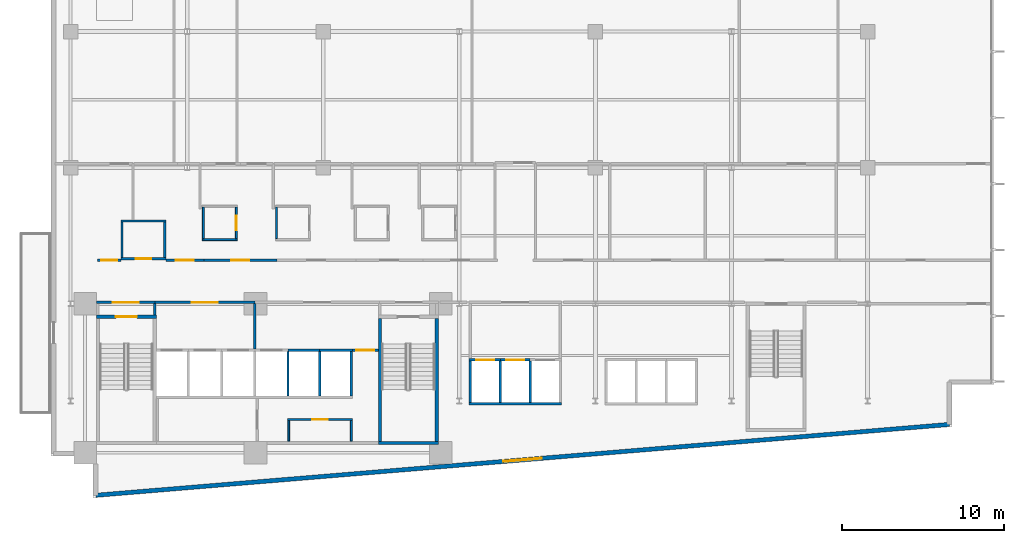
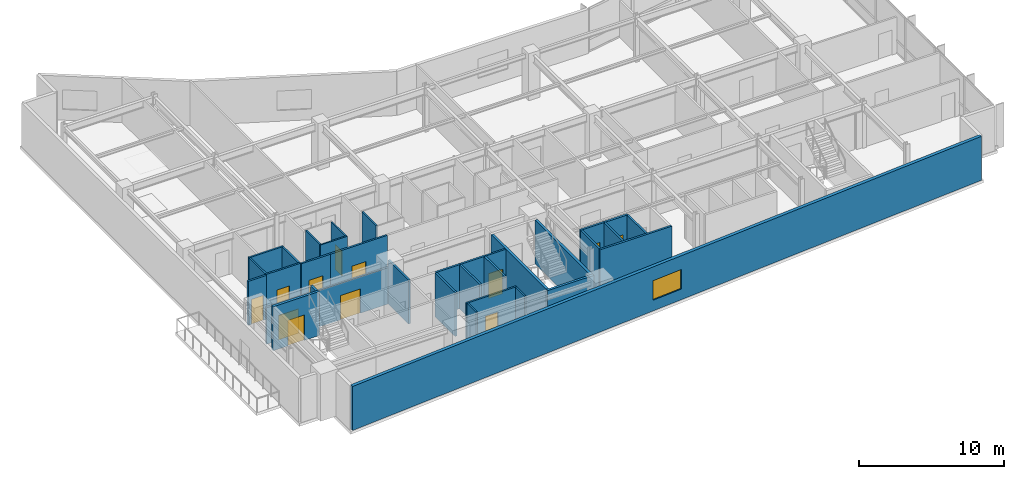
# One storey, part 13 of 21: 35 walls, 12 doors, 1 window, 13 openings.
"""IFC4 building model written with IfcOpenShell, lengths in metres."""

from ifc_helpers import new_model, si_unit, direction, frame, frame_2d, origin, place, context, subcontext, project, spatial, rectangle, extrude, material, layer, layer_set, type_object, element, fill, save


model = new_model("IFC4")

# Units and contexts
model_context = context("Model", 3, precision=1e-05, world=origin(), true_north=direction((0.0, 1.0)))
body_context = subcontext(model_context, "Body", "Model", "MODEL_VIEW")
ifc_project = project(units=[si_unit("LENGTHUNIT", "METRE"), si_unit("AREAUNIT", "SQUARE_METRE"), si_unit("VOLUMEUNIT", "CUBIC_METRE"), si_unit("PLANEANGLEUNIT", "RADIAN"), si_unit("MASSUNIT", "GRAM", prefix="KILO")], contexts=[model_context])

# Site, building, storey
site_placement = place(None, origin())
site = spatial("IfcSite", under=ifc_project, at=site_placement, CompositionType="ELEMENT")
building_placement = place(site_placement, origin())
building = spatial("IfcBuilding", under=site, at=building_placement, Name="Varnakote Quay Hospital", CompositionType="ELEMENT")
storey_placement = place(building_placement, frame((0.0, 0.0, 77.800048828125)))
storey = spatial("IfcBuildingStorey", under=building, at=storey_placement, Name="L19", CompositionType="ELEMENT", Elevation=77.800048828125)

# Wall, opening, door
ifc_material_1 = material(Name="Fire-rated acoustic gypsum stud wall", Category="gypsum")
ifc_layer_1 = layer(ifc_material_1, 0.159912109375)
ifc_layer_set_1 = layer_set([ifc_layer_1], Name="Fire-rated acoustic gypsum stud wall")
wall_type_1 = type_object("IfcWallType", Name="WL-COMP-160", PredefinedType="PARTITIONING", material=ifc_layer_set_1)
wall_1_placement = place(storey_placement, frame((2.800048828125, 12.080078125, 0.0), z_axis=(0.0, 0.0, 1.0), x_axis=(1.0, 0.0, 0.0)))
wall_1 = element("IfcWall", 1, at=wall_1_placement, inside=storey, type_object=wall_type_1, Name="L19 West Stair Vestibule Smoke Wall", PredefinedType="PARTITIONING", context=body_context, shape_type="SweptSolid", body=[
    extrude(rectangle(XDim=3.599853515625, YDim=0.159912109375, at=frame_2d((1.7998046875, 0.0))), origin(), (0.0, 0.0, 1.0), 3.072998046875),
])
opening_1_placement = place(wall_1_placement, frame((1.0, 0.0, 0.0)))
opening_1 = element("IfcOpeningElement", 2, at=opening_1_placement, cuts=wall_1, Name="Opening D-ST1L-L19", PredefinedType="OPENING", context=body_context, shape_type="SweptSolid", body=[
    extrude(rectangle(XDim=1.60009765625, YDim=2.050048828125, at=frame_2d((0.800048828125, 1.02490234375))), frame((0.0, 0.08984375, 0.0), z_axis=(0.0, -1.0, 0.0), x_axis=(1.0, 0.0, 0.0)), (0.0, 0.0, 1.0), 0.179931640625),
])
ifc_material_2 = material(Name="Fire-rated double smoke lobby door")
door_type_1 = type_object("IfcDoorType", Name="DR-LOBBY-FD60S-1600x2150", OperationType="NOTDEFINED", PredefinedType="DOOR", material=ifc_material_2)
door_1_placement = place(opening_1_placement, origin())
door_1 = element("IfcDoor", 3, at=door_1_placement, inside=storey, type_object=door_type_1, Name="L19 West Stair Vestibule Smoke Door", OperationType="DOUBLE_DOOR_SINGLE_SWING", OverallHeight=2.050048828125, OverallWidth=1.60009765625, PredefinedType="DOOR", context=body_context, shape_type="SweptSolid", body=[
    extrude(rectangle(XDim=1.60009765625, YDim=2.050048828125, at=frame_2d((0.800048828125, 1.02490234375))), frame((0.0, 0.02490234375, 0.0), z_axis=(0.0, -1.0, 0.0), x_axis=(1.0, 0.0, 0.0)), (0.0, 0.0, 1.0), 0.050048828125),
])
fill(opening_1, door_1)

# Wall
wall_2_placement = place(storey_placement, frame((6.39990234375, 11.300048828125, 0.0), z_axis=(0.0, 0.0, 1.0), x_axis=(0.0, 1.0, 0.0)))
element("IfcWall", 4, at=wall_2_placement, inside=storey, type_object=wall_type_1, Name="L19 Firefighting Lobby West Wall", PredefinedType="PARTITIONING", context=body_context, shape_type="SweptSolid", body=[
    extrude(rectangle(XDim=0.699951171875, YDim=0.159912109375, at=frame_2d((0.35009765625, 0.0))), origin(), (0.0, 0.0, 1.0), 3.7099609375),
])

# Wall, opening, door
wall_3_placement = place(storey_placement, frame((6.39990234375, 12.080078125, 0.0), z_axis=(0.0, 0.0, 1.0), x_axis=(1.0, 0.0, 0.0)))
wall_3 = element("IfcWall", 5, at=wall_3_placement, inside=storey, type_object=wall_type_1, Name="L19 Firefighting Lift Lobby Compartment Wall", PredefinedType="PARTITIONING", context=body_context, shape_type="SweptSolid", body=[
    extrude(rectangle(XDim=6.18017578125, YDim=0.159912109375, at=frame_2d((3.090087890625, 0.0))), origin(), (0.0, 0.0, 1.0), 3.072998046875),
])
opening_2_placement = place(wall_3_placement, frame((2.2900390625, 0.0, 0.0)))
opening_2 = element("IfcOpeningElement", 6, at=opening_2_placement, cuts=wall_3, Name="Opening D-FFL-L19", PredefinedType="OPENING", context=body_context, shape_type="SweptSolid", body=[
    extrude(rectangle(XDim=1.60009765625, YDim=2.050048828125, at=frame_2d((0.800048828125, 1.02490234375))), frame((0.0, 0.08984375, 0.0), z_axis=(0.0, -1.0, 0.0), x_axis=(1.0, 0.0, 0.0)), (0.0, 0.0, 1.0), 0.179931640625),
])
door_2_placement = place(opening_2_placement, origin())
door_2 = element("IfcDoor", 7, at=door_2_placement, inside=storey, type_object=door_type_1, Name="L19 Firefighting Smoke Vestibule Door", OperationType="DOUBLE_DOOR_SINGLE_SWING", OverallHeight=2.050048828125, OverallWidth=1.60009765625, PredefinedType="DOOR", context=body_context, shape_type="SweptSolid", body=[
    extrude(rectangle(XDim=1.60009765625, YDim=2.050048828125, at=frame_2d((0.800048828125, 1.02490234375))), frame((0.0, 0.02490234375, 0.0), z_axis=(0.0, -1.0, 0.0), x_axis=(1.0, 0.0, 0.0)), (0.0, 0.0, 1.0), 0.050048828125),
])
fill(opening_2, door_2)

# Walls
wall_4_placement = place(storey_placement, frame((12.580078125, 9.2099609375, 0.0), z_axis=(0.0, 0.0, 1.0), x_axis=(0.0, 1.0, 0.0)))
element("IfcWall", 8, at=wall_4_placement, inside=storey, type_object=wall_type_1, Name="L19 Firefighting to Service Lobby Wall", PredefinedType="PARTITIONING", context=body_context, shape_type="SweptSolid", body=[
    extrude(rectangle(XDim=2.7900390625, YDim=0.159912109375, at=frame_2d((1.39501953125, 0.0))), origin(), (0.0, 0.0, 1.0), 3.7099609375),
])
ifc_material_3 = material(Name="Moisture-resistant bathroom partition", Category="gypsum")
ifc_layer_2 = layer(ifc_material_3, 0.114990234375)
ifc_layer_set_2 = layer_set([ifc_layer_2], Name="Moisture-resistant bathroom partition")
wall_type_2 = type_object("IfcWallType", Name="WL-ENS-115", PredefinedType="PARTITIONING", material=ifc_layer_set_2)
wall_5_placement = place(storey_placement, frame((9.344970703125, 15.952392578125, 0.0), z_axis=(0.0, 0.0, 1.0), x_axis=(1.0, 0.0, 0.0)))
element("IfcWall", 9, at=wall_5_placement, inside=storey, type_object=wall_type_2, Name="L19 Inpatient En-Suite Bathroom 01 S Wall", PredefinedType="PARTITIONING", context=body_context, shape_type="SweptSolid", body=[
    extrude(rectangle(XDim=2.150146484375, YDim=0.114990234375, at=frame_2d((1.0751953125, 0.0))), origin(), (0.0, 0.0, 1.0), 3.7099609375),
])
wall_6_placement = place(storey_placement, frame((9.402587890625, 16.010009765625, 0.0), z_axis=(0.0, 0.0, 1.0), x_axis=(0.0, 1.0, 0.0)))
element("IfcWall", 10, at=wall_6_placement, inside=storey, type_object=wall_type_2, Name="L19 Inpatient En-Suite Bathroom 01 W Wall", PredefinedType="PARTITIONING", context=body_context, shape_type="SweptSolid", body=[
    extrude(rectangle(XDim=1.949951171875, YDim=0.114990234375, at=frame_2d((0.97509765625, 0.0))), origin(), (0.0, 0.0, 1.0), 3.7099609375),
])

# Wall, opening, door
wall_7_placement = place(storey_placement, frame((11.4375, 16.010009765625, 0.0), z_axis=(0.0, 0.0, 1.0), x_axis=(0.0, 1.0, 0.0)))
wall_7 = element("IfcWall", 11, at=wall_7_placement, inside=storey, type_object=wall_type_2, Name="L19 Inpatient En-Suite Bathroom 01 E Wall", PredefinedType="PARTITIONING", context=body_context, shape_type="SweptSolid", body=[
    extrude(rectangle(XDim=1.949951171875, YDim=0.114990234375, at=frame_2d((0.97509765625, 0.0))), origin(), (0.0, 0.0, 1.0), 3.7099609375),
])
opening_3_placement = place(wall_7_placement, frame((0.514892578125, 0.0, 0.0)))
opening_3 = element("IfcOpeningElement", 12, at=opening_3_placement, cuts=wall_7, Name="Opening D-L19-ENS01", PredefinedType="OPENING", context=body_context, shape_type="SweptSolid", body=[
    extrude(rectangle(XDim=0.919921875, YDim=2.10009765625, at=frame_2d((0.4599609375, 1.050048828125))), frame((0.0, 0.0673828125, 0.0), z_axis=(0.0, -1.0, 0.0), x_axis=(1.0, 0.0, 0.0)), (0.0, 0.0, 1.0), 0.135009765625),
])
ifc_material_4 = material(Name="Moisture-sealed en-suite bathroom door")
door_type_2 = type_object("IfcDoorType", Name="DR-ENS-920x2100", OperationType="NOTDEFINED", PredefinedType="DOOR", material=ifc_material_4)
door_3_placement = place(opening_3_placement, origin())
door_3 = element("IfcDoor", 13, at=door_3_placement, inside=storey, type_object=door_type_2, Name="L19 Inpatient En-Suite Bathroom 01 Door", OperationType="SINGLE_SWING_LEFT", OverallHeight=2.10009765625, OverallWidth=0.919921875, PredefinedType="DOOR", context=body_context, shape_type="SweptSolid", body=[
    extrude(rectangle(XDim=0.919921875, YDim=2.10009765625, at=frame_2d((0.4599609375, 1.050048828125))), frame((0.0, 0.02490234375, 0.0), z_axis=(0.0, -1.0, 0.0), x_axis=(1.0, 0.0, 0.0)), (0.0, 0.0, 1.0), 0.050048828125),
])
fill(opening_3, door_3)

# Wall
wall_8_placement = place(storey_placement, frame((13.91259765625, 16.010009765625, 0.0), z_axis=(0.0, 0.0, 1.0), x_axis=(0.0, 1.0, 0.0)))
element("IfcWall", 14, at=wall_8_placement, inside=storey, type_object=wall_type_2, Name="L19 Inpatient En-Suite Bathroom 02 W Wall", PredefinedType="PARTITIONING", context=body_context, shape_type="SweptSolid", body=[
    extrude(rectangle(XDim=1.949951171875, YDim=0.114990234375, at=frame_2d((0.97509765625, 0.0))), origin(), (0.0, 0.0, 1.0), 3.7099609375),
])

# Wall, opening, window
ifc_material_5 = material(Name="Precast concrete N50 (f'c 50 MPa)", Category="concrete")
ifc_layer_3 = layer(ifc_material_5, 0.260009765625)
ifc_layer_set_3 = layer_set([ifc_layer_3], Name="Precast concrete N50 (f'c 50 MPa)")
wall_type_3 = type_object("IfcWallType", Name="WL-EXT-BRICK-260", PredefinedType="STANDARD", material=ifc_layer_set_3)
wall_9_placement = place(storey_placement, frame((2.760009765625, 0.173828125, 0.0), z_axis=(0.0, 0.0, 1.0), x_axis=(0.996571478456, 0.082736257641, 0.0)))
wall_9 = element("IfcWall", 15, at=wall_9_placement, inside=storey, type_object=wall_type_3, Name="L19 Brick-Faced Precast Exterior Wall", PredefinedType="STANDARD", context=body_context, shape_type="SweptSolid", body=[
    extrude(rectangle(XDim=52.861083984375, YDim=0.260009765625, at=frame_2d((26.4306640625, 0.0))), origin(), (0.0, 0.0, 1.0), 3.7099609375),
])
opening_4_placement = place(wall_9_placement, frame((25.230712890625, 0.0, 0.89990234375)))
opening_4 = element("IfcOpeningElement", 16, at=opening_4_placement, cuts=wall_9, Name="Opening WN-0090", PredefinedType="OPENING", context=body_context, shape_type="SweptSolid", body=[
    extrude(rectangle(XDim=2.39990234375, YDim=1.64990234375, at=frame_2d((1.199951171875, 0.824951171875))), frame((0.0, 0.139892578125, 0.0), z_axis=(0.0, -1.0, 0.0), x_axis=(1.0, 0.0, 0.0)), (0.0, 0.0, 1.0), 0.280029296875),
])
ifc_material_6 = material(Name="Double-glazed low-E solar glass", Category="glass")
window_type = type_object("IfcWindowType", Name="WIN-CLIN-2400x1650", PartitioningType="SINGLE_PANEL", PredefinedType="WINDOW", material=ifc_material_6)
window_placement = place(opening_4_placement, origin())
window = element("IfcWindow", 17, at=window_placement, inside=storey, type_object=window_type, Name="L19 Solar-Control Clinical Window", OverallHeight=1.64990234375, OverallWidth=2.39990234375, PartitioningType="SINGLE_PANEL", PredefinedType="WINDOW", context=body_context, shape_type="SweptSolid", body=[
    extrude(rectangle(XDim=2.39990234375, YDim=1.64990234375, at=frame_2d((1.199951171875, 0.824951171875))), frame((0.0, 0.030029296875, 0.0), z_axis=(0.0, -1.0, 0.0), x_axis=(1.0, 0.0, 0.0)), (0.0, 0.0, 1.0), 0.06005859375),
])
fill(opening_4, window)

# Walls
ifc_material_7 = material(Name="Concrete N50 (f'c 50 MPa)", Category="concrete")
ifc_layer_4 = layer(ifc_material_7, 0.14990234375)
ifc_layer_set_4 = layer_set([ifc_layer_4], Name="Concrete N50 (f'c 50 MPa)")
wall_type_4 = type_object("IfcWallType", Name="WL-SHAFT-N50-150", PredefinedType="SHEAR", material=ifc_layer_set_4)
for number, where, z_axis, x_axis, name in (
    (18, (14.625, 6.300048828125, 0.0), (0.0, 0.0, 1.0), (0.0, 1.0, 0.0), "L19 LF-SV2 Hoistway Divider Wall"),
    (19, (16.574951171875, 6.300048828125, 0.0), (0.0, 0.0, 1.0), (0.0, 1.0, 0.0), "L19 LF-PH1 Hoistway Divider Wall"),
):
    element("IfcWall", number, at=place(storey_placement, frame(where, z_axis=z_axis, x_axis=x_axis)), inside=storey, type_object=wall_type_4, Name=name, PredefinedType="SHEAR", context=body_context, shape_type="SweptSolid", body=[
        extrude(rectangle(XDim=2.75, YDim=0.14990234375, at=frame_2d((1.375, 0.0))), origin(), (0.0, 0.0, 1.0), 3.7099609375),
    ])
for number, where, z_axis, x_axis, name in (
    (20, (27.72509765625, 5.89990234375, 0.0), (0.0, 0.0, 1.0), (0.0, 1.0, 0.0), "L19 LF-PL1 Hoistway Divider Wall"),
    (21, (29.574951171875, 5.89990234375, 0.0), (0.0, 0.0, 1.0), (0.0, 1.0, 0.0), "L19 LF-PL2 Hoistway Divider Wall"),
):
    element("IfcWall", number, at=place(storey_placement, frame(where, z_axis=z_axis, x_axis=x_axis)), inside=storey, type_object=wall_type_4, Name=name, PredefinedType="SHEAR", context=body_context, shape_type="SweptSolid", body=[
        extrude(rectangle(XDim=2.550048828125, YDim=0.14990234375, at=frame_2d((1.27490234375, 0.0))), origin(), (0.0, 0.0, 1.0), 3.7099609375),
    ])
ifc_material_8 = material(Name="Concrete N50 (f'c 50 MPa)", Category="concrete")
ifc_layer_5 = layer(ifc_material_8, 0.159912109375)
ifc_layer_set_5 = layer_set([ifc_layer_5], Name="Concrete N50 (f'c 50 MPa)")
wall_type_5 = type_object("IfcWallType", Name="WL-SHAFT-N50-160", PredefinedType="SHEAR", material=ifc_layer_set_5)
wall_10_placement = place(storey_placement, frame((18.530029296875, 6.300048828125, 0.0), z_axis=(0.0, 0.0, 1.0), x_axis=(0.0, 1.0, 0.0)))
element("IfcWall", 22, at=wall_10_placement, inside=storey, type_object=wall_type_5, Name="L19 REAR Lift Bank East Shear Wall", PredefinedType="SHEAR", context=body_context, shape_type="SweptSolid", body=[
    extrude(rectangle(XDim=2.75, YDim=0.159912109375, at=frame_2d((1.375, 0.0))), origin(), (0.0, 0.0, 1.0), 3.7099609375),
])
wall_11_placement = place(storey_placement, frame((14.625, 9.1298828125, 0.0), z_axis=(0.0, 0.0, 1.0), x_axis=(1.0, 0.0, 0.0)))
element("IfcWall", 23, at=wall_11_placement, inside=storey, type_object=wall_type_5, Name="L19 LF-PH1 Hoistway Front Wall", PredefinedType="SHEAR", context=body_context, shape_type="SweptSolid", body=[
    extrude(rectangle(XDim=1.949951171875, YDim=0.159912109375, at=frame_2d((0.97509765625, 0.0))), origin(), (0.0, 0.0, 1.0), 3.7099609375),
])
wall_12_placement = place(storey_placement, frame((16.574951171875, 9.1298828125, 0.0), z_axis=(0.0, 0.0, 1.0), x_axis=(1.0, 0.0, 0.0)))
element("IfcWall", 24, at=wall_12_placement, inside=storey, type_object=wall_type_5, Name="L19 LF-PH2 Hoistway Front Wall", PredefinedType="SHEAR", context=body_context, shape_type="SweptSolid", body=[
    extrude(rectangle(XDim=2.03515625, YDim=0.159912109375, at=frame_2d((1.017578125, 0.0))), origin(), (0.0, 0.0, 1.0), 3.7099609375),
])
wall_13_placement = place(storey_placement, frame((25.7900390625, 5.820068359375, 0.0), z_axis=(0.0, 0.0, 1.0), x_axis=(1.0, 0.0, 0.0)))
element("IfcWall", 25, at=wall_13_placement, inside=storey, type_object=wall_type_5, Name="L19 LOW Lift Bank Back Shear Wall", PredefinedType="SHEAR", context=body_context, shape_type="SweptSolid", body=[
    extrude(rectangle(XDim=5.719970703125, YDim=0.159912109375, at=frame_2d((2.85986328125, 0.0))), origin(), (0.0, 0.0, 1.0), 3.7099609375),
])
wall_14_placement = place(storey_placement, frame((25.8701171875, 5.89990234375, 0.0), z_axis=(0.0, 0.0, 1.0), x_axis=(0.0, 1.0, 0.0)))
element("IfcWall", 26, at=wall_14_placement, inside=storey, type_object=wall_type_5, Name="L19 LOW Lift Bank West Shear Wall", PredefinedType="SHEAR", context=body_context, shape_type="SweptSolid", body=[
    extrude(rectangle(XDim=2.550048828125, YDim=0.159912109375, at=frame_2d((1.27490234375, 0.0))), origin(), (0.0, 0.0, 1.0), 3.7099609375),
])

# Wall, opening, door
wall_15_placement = place(storey_placement, frame((25.7900390625, 8.530029296875, 0.0), z_axis=(0.0, 0.0, 1.0), x_axis=(1.0, 0.0, 0.0)))
wall_15 = element("IfcWall", 27, at=wall_15_placement, inside=storey, type_object=wall_type_5, Name="L19 LF-PL1 Hoistway Front Wall", PredefinedType="SHEAR", context=body_context, shape_type="SweptSolid", body=[
    extrude(rectangle(XDim=1.93505859375, YDim=0.159912109375, at=frame_2d((0.967529296875, 0.0))), origin(), (0.0, 0.0, 1.0), 3.7099609375),
])
opening_5_placement = place(wall_15_placement, frame((0.4599609375, 0.0, 0.0)))
opening_5 = element("IfcOpeningElement", 28, at=opening_5_placement, cuts=wall_15, Name="Opening LD-PL1-L19", PredefinedType="OPENING", context=body_context, shape_type="SweptSolid", body=[
    extrude(rectangle(XDim=1.10009765625, YDim=2.14990234375, at=frame_2d((0.550048828125, 1.074951171875))), frame((0.0, 0.08984375, 0.0), z_axis=(0.0, -1.0, 0.0), x_axis=(1.0, 0.0, 0.0)), (0.0, 0.0, 1.0), 0.179931640625),
])
ifc_material_9 = material(Name="Brushed bronze lift landing sliding door")
door_type_3 = type_object("IfcDoorType", Name="DR-LIFT-LD-1100x2150", OperationType="NOTDEFINED", PredefinedType="DOOR", material=ifc_material_9)
door_4_placement = place(opening_5_placement, origin())
door_4 = element("IfcDoor", 29, at=door_4_placement, inside=storey, type_object=door_type_3, Name="L19 LF-PL1 Lift Landing Sliding Door", OperationType="SLIDING_TO_LEFT", OverallHeight=2.14990234375, OverallWidth=1.10009765625, PredefinedType="DOOR", context=body_context, shape_type="SweptSolid", body=[
    extrude(rectangle(XDim=1.10009765625, YDim=2.14990234375, at=frame_2d((0.550048828125, 1.074951171875))), frame((0.0, 0.02490234375, 0.0), z_axis=(0.0, -1.0, 0.0), x_axis=(1.0, 0.0, 0.0)), (0.0, 0.0, 1.0), 0.050048828125),
])
fill(opening_5, door_4)

wall_16_placement = place(storey_placement, frame((27.72509765625, 8.530029296875, 0.0), z_axis=(0.0, 0.0, 1.0), x_axis=(1.0, 0.0, 0.0)))
wall_16 = element("IfcWall", 30, at=wall_16_placement, inside=storey, type_object=wall_type_5, Name="L19 LF-PL2 Hoistway Front Wall", PredefinedType="SHEAR", context=body_context, shape_type="SweptSolid", body=[
    extrude(rectangle(XDim=1.849853515625, YDim=0.159912109375, at=frame_2d((0.9248046875, 0.0))), origin(), (0.0, 0.0, 1.0), 3.7099609375),
])
opening_6_placement = place(wall_16_placement, frame((0.375, 0.0, 0.0)))
opening_6 = element("IfcOpeningElement", 31, at=opening_6_placement, cuts=wall_16, Name="Opening LD-PL2-L19", PredefinedType="OPENING", context=body_context, shape_type="SweptSolid", body=[
    extrude(rectangle(XDim=1.10009765625, YDim=2.14990234375, at=frame_2d((0.550048828125, 1.074951171875))), frame((0.0, 0.08984375, 0.0), z_axis=(0.0, -1.0, 0.0), x_axis=(1.0, 0.0, 0.0)), (0.0, 0.0, 1.0), 0.179931640625),
])
door_5_placement = place(opening_6_placement, origin())
door_5 = element("IfcDoor", 32, at=door_5_placement, inside=storey, type_object=door_type_3, Name="L19 LF-PL2 Lift Landing Sliding Door", OperationType="SLIDING_TO_LEFT", OverallHeight=2.14990234375, OverallWidth=1.10009765625, PredefinedType="DOOR", context=body_context, shape_type="SweptSolid", body=[
    extrude(rectangle(XDim=1.10009765625, YDim=2.14990234375, at=frame_2d((0.550048828125, 1.074951171875))), frame((0.0, 0.02490234375, 0.0), z_axis=(0.0, -1.0, 0.0), x_axis=(1.0, 0.0, 0.0)), (0.0, 0.0, 1.0), 0.050048828125),
])
fill(opening_6, door_5)

ifc_material_10 = material(Name="Concrete N50 (f'c 50 MPa)", Category="concrete")
ifc_layer_6 = layer(ifc_material_10, 0.199951171875)
ifc_layer_set_6 = layer_set([ifc_layer_6], Name="Concrete N50 (f'c 50 MPa)")
wall_type_6 = type_object("IfcWallType", Name="WL-SHAFT-N50-200", PredefinedType="SHEAR", material=ifc_layer_set_6)
wall_17_placement = place(storey_placement, frame((2.800048828125, 11.199951171875, 0.0), z_axis=(0.0, 0.0, 1.0), x_axis=(1.0, 0.0, 0.0)))
wall_17 = element("IfcWall", 33, at=wall_17_placement, inside=storey, type_object=wall_type_6, Name="L19 Stair ST1 Exit Wall", PredefinedType="SHEAR", context=body_context, shape_type="SweptSolid", body=[
    extrude(rectangle(XDim=3.699951171875, YDim=0.199951171875, at=frame_2d((1.85009765625, 0.0))), origin(), (0.0, 0.0, 1.0), 3.7099609375),
])
opening_7_placement = place(wall_17_placement, frame((1.199951171875, 0.0, 0.0)))
opening_7 = element("IfcOpeningElement", 34, at=opening_7_placement, cuts=wall_17, Name="Opening D-ST1-L19", PredefinedType="OPENING", context=body_context, shape_type="SweptSolid", body=[
    extrude(rectangle(XDim=1.300048828125, YDim=2.14990234375, at=frame_2d((0.64990234375, 1.074951171875))), frame((0.0, 0.10986328125, 0.0), z_axis=(0.0, -1.0, 0.0), x_axis=(1.0, 0.0, 0.0)), (0.0, 0.0, 1.0), 0.219970703125),
])
ifc_material_11 = material(Name="Fire-rated ceramic-glazed timber exit door", Category="wood")
door_type_4 = type_object("IfcDoorType", Name="DR-STAIR-FD60S-1300x2150", OperationType="NOTDEFINED", PredefinedType="DOOR", material=ifc_material_11)
door_6_placement = place(opening_7_placement, origin())
door_6 = element("IfcDoor", 35, at=door_6_placement, inside=storey, type_object=door_type_4, Name="L19 Stair ST1 Fire Exit Door", OperationType="SINGLE_SWING_RIGHT", OverallHeight=2.14990234375, OverallWidth=1.300048828125, PredefinedType="DOOR", context=body_context, shape_type="SweptSolid", body=[
    extrude(rectangle(XDim=1.300048828125, YDim=2.14990234375, at=frame_2d((0.64990234375, 1.074951171875))), frame((0.0, 0.02490234375, 0.0), z_axis=(0.0, -1.0, 0.0), x_axis=(1.0, 0.0, 0.0)), (0.0, 0.0, 1.0), 0.050048828125),
])
fill(opening_7, door_6)

# Walls
wall_18_placement = place(storey_placement, frame((20.199951171875, 3.39990234375, 0.0), z_axis=(0.0, 0.0, 1.0), x_axis=(1.0, 0.0, 0.0)))
element("IfcWall", 36, at=wall_18_placement, inside=storey, type_object=wall_type_6, Name="L19 Stair ST2 South Shaft Wall", PredefinedType="SHEAR", context=body_context, shape_type="SweptSolid", body=[
    extrude(rectangle(XDim=3.699951171875, YDim=0.199951171875, at=frame_2d((1.85009765625, 0.0))), origin(), (0.0, 0.0, 1.0), 3.7099609375),
])
for number, where, z_axis, x_axis, name in (
    (37, (20.300048828125, 3.5, 0.0), (0.0, 0.0, 1.0), (0.0, 1.0, 0.0), "L19 Stair ST2 West Shaft Wall"),
    (38, (23.800048828125, 3.5, 0.0), (0.0, 0.0, 1.0), (0.0, 1.0, 0.0), "L19 Stair ST2 East Shaft Wall"),
):
    element("IfcWall", number, at=place(storey_placement, frame(where, z_axis=z_axis, x_axis=x_axis)), inside=storey, type_object=wall_type_6, Name=name, PredefinedType="SHEAR", context=body_context, shape_type="SweptSolid", body=[
        extrude(rectangle(XDim=7.60009765625, YDim=0.199951171875, at=frame_2d((3.800048828125, 0.0))), origin(), (0.0, 0.0, 1.0), 3.7099609375),
    ])
ifc_material_12 = material(Name="Smoke-proof clinical partition", Category="gypsum")
ifc_layer_7 = layer(ifc_material_12, 0.1201171875)
ifc_layer_set_7 = layer_set([ifc_layer_7], Name="Smoke-proof clinical partition")
wall_type_7 = type_object("IfcWallType", Name="WL-SMOKE-120", PredefinedType="PARTITIONING", material=ifc_layer_set_7)
for number, where, z_axis, x_axis, name in (
    (39, (14.669921875, 3.52001953125, 0.0), (0.0, 0.0, 1.0), (0.0, 1.0, 0.0), "L19 Core WC West Wall"),
    (40, (18.5400390625, 3.52001953125, 0.0), (0.0, 0.0, 1.0), (0.0, 1.0, 0.0), "L19 Core WC East Wall"),
):
    element("IfcWall", number, at=place(storey_placement, frame(where, z_axis=z_axis, x_axis=x_axis)), inside=storey, type_object=wall_type_7, Name=name, PredefinedType="PARTITIONING", context=body_context, shape_type="SweptSolid", body=[
        extrude(rectangle(XDim=1.260009765625, YDim=0.1201171875, at=frame_2d((0.6298828125, 0.0))), origin(), (0.0, 0.0, 1.0), 3.7099609375),
    ])

# Wall, opening, door
ifc_material_13 = material(Name="Fire-rated clinical gypsum partition", Category="gypsum")
ifc_layer_8 = layer(ifc_material_13, 0.139892578125)
ifc_layer_set_8 = layer_set([ifc_layer_8], Name="Fire-rated clinical gypsum partition")
wall_type_8 = type_object("IfcWallType", Name="WL-WARD-140", PredefinedType="PARTITIONING", material=ifc_layer_set_8)
wall_19_placement = place(storey_placement, frame((14.60009765625, 4.85009765625, 0.0), z_axis=(0.0, 0.0, 1.0), x_axis=(1.0, 0.0, 0.0)))
wall_19 = element("IfcWall", 41, at=wall_19_placement, inside=storey, type_object=wall_type_8, Name="L19 Core Staff Sanitary WC North Wall", PredefinedType="PARTITIONING", context=body_context, shape_type="SweptSolid", body=[
    extrude(rectangle(XDim=4.0, YDim=0.139892578125, at=frame_2d((2.0, 0.0))), origin(), (0.0, 0.0, 1.0), 3.7099609375),
])
opening_8_placement = place(wall_19_placement, frame((1.510009765625, 0.0, 0.0)))
opening_8 = element("IfcOpeningElement", 42, at=opening_8_placement, cuts=wall_19, Name="Opening D-L19-CR02", PredefinedType="OPENING", context=body_context, shape_type="SweptSolid", body=[
    extrude(rectangle(XDim=0.97998046875, YDim=2.10009765625, at=frame_2d((0.489990234375, 1.050048828125))), frame((0.0, 0.079833984375, 0.0), z_axis=(0.0, -1.0, 0.0), x_axis=(1.0, 0.0, 0.0)), (0.0, 0.0, 1.0), 0.159912109375),
])
ifc_material_14 = material(Name="Accessible sanitary compartment door")
door_type_5 = type_object("IfcDoorType", Name="DR-WC-980x2100", OperationType="NOTDEFINED", PredefinedType="DOOR", material=ifc_material_14)
door_7_placement = place(opening_8_placement, origin())
door_7 = element("IfcDoor", 43, at=door_7_placement, inside=storey, type_object=door_type_5, Name="L19 Core Staff Sanitary WC Door", OperationType="SINGLE_SWING_RIGHT", OverallHeight=2.10009765625, OverallWidth=0.97998046875, PredefinedType="DOOR", context=body_context, shape_type="SweptSolid", body=[
    extrude(rectangle(XDim=0.97998046875, YDim=2.10009765625, at=frame_2d((0.489990234375, 1.050048828125))), frame((0.0, 0.02490234375, 0.0), z_axis=(0.0, -1.0, 0.0), x_axis=(1.0, 0.0, 0.0)), (0.0, 0.0, 1.0), 0.050048828125),
])
fill(opening_8, door_7)

wall_20_placement = place(storey_placement, frame((18.610107421875, 9.1298828125, 0.0), z_axis=(0.0, 0.0, 1.0), x_axis=(1.0, 0.0, 0.0)))
wall_20 = element("IfcWall", 44, at=wall_20_placement, inside=storey, type_object=wall_type_8, Name="L19 Core Service Corridor North Door Wall", PredefinedType="PARTITIONING", context=body_context, shape_type="SweptSolid", body=[
    extrude(rectangle(XDim=1.58984375, YDim=0.139892578125, at=frame_2d((0.794921875, 0.0))), origin(), (0.0, 0.0, 1.0), 3.7099609375),
])
opening_9_placement = place(wall_20_placement, frame((0.239990234375, 0.0, 0.0)))
opening_9 = element("IfcOpeningElement", 45, at=opening_9_placement, cuts=wall_20, Name="Opening D-CSRV-L19", PredefinedType="OPENING", context=body_context, shape_type="SweptSolid", body=[
    extrude(rectangle(XDim=1.10009765625, YDim=2.10009765625, at=frame_2d((0.550048828125, 1.050048828125))), frame((0.0, 0.079833984375, 0.0), z_axis=(0.0, -1.0, 0.0), x_axis=(1.0, 0.0, 0.0)), (0.0, 0.0, 1.0), 0.159912109375),
])
ifc_material_15 = material(Name="Acoustic timber clinical consult door", Category="wood")
door_type_6 = type_object("IfcDoorType", Name="DR-CLIN-FD30S-1100x2100", OperationType="NOTDEFINED", PredefinedType="DOOR", material=ifc_material_15)
door_8_placement = place(opening_9_placement, origin())
door_8 = element("IfcDoor", 46, at=door_8_placement, inside=storey, type_object=door_type_6, Name="L19 Core Service Corridor Door", OperationType="SINGLE_SWING_LEFT", OverallHeight=2.10009765625, OverallWidth=1.10009765625, PredefinedType="DOOR", context=body_context, shape_type="SweptSolid", body=[
    extrude(rectangle(XDim=1.10009765625, YDim=2.10009765625, at=frame_2d((0.550048828125, 1.050048828125))), frame((0.0, 0.02490234375, 0.0), z_axis=(0.0, -1.0, 0.0), x_axis=(1.0, 0.0, 0.0)), (0.0, 0.0, 1.0), 0.050048828125),
])
fill(opening_9, door_8)

wall_21_placement = place(storey_placement, frame((4.31005859375, 14.77001953125, 0.0), z_axis=(0.0, 0.0, 1.0), x_axis=(1.0, 0.0, 0.0)))
wall_21 = element("IfcWall", 47, at=wall_21_placement, inside=storey, type_object=wall_type_8, Name="L19 Floor Unisex Accessible WC S Wall", PredefinedType="PARTITIONING", context=body_context, shape_type="SweptSolid", body=[
    extrude(rectangle(XDim=2.780029296875, YDim=0.139892578125, at=frame_2d((1.39013671875, 0.0))), origin(), (0.0, 0.0, 1.0), 3.7099609375),
])
opening_10_placement = place(wall_21_placement, frame((0.89990234375, 0.0, 0.0)))
opening_10 = element("IfcOpeningElement", 48, at=opening_10_placement, cuts=wall_21, Name="Opening D-L19-EW01", PredefinedType="OPENING", context=body_context, shape_type="SweptSolid", body=[
    extrude(rectangle(XDim=0.97998046875, YDim=2.10009765625, at=frame_2d((0.489990234375, 1.050048828125))), frame((0.0, 0.079833984375, 0.0), z_axis=(0.0, -1.0, 0.0), x_axis=(1.0, 0.0, 0.0)), (0.0, 0.0, 1.0), 0.159912109375),
])
door_9_placement = place(opening_10_placement, origin())
door_9 = element("IfcDoor", 49, at=door_9_placement, inside=storey, type_object=door_type_5, Name="L19 Floor Unisex Accessible WC Door", OperationType="SINGLE_SWING_RIGHT", OverallHeight=2.10009765625, OverallWidth=0.97998046875, PredefinedType="DOOR", context=body_context, shape_type="SweptSolid", body=[
    extrude(rectangle(XDim=0.97998046875, YDim=2.10009765625, at=frame_2d((0.489990234375, 1.050048828125))), frame((0.0, 0.02490234375, 0.0), z_axis=(0.0, -1.0, 0.0), x_axis=(1.0, 0.0, 0.0)), (0.0, 0.0, 1.0), 0.050048828125),
])
fill(opening_10, door_9)

# Walls
wall_22_placement = place(storey_placement, frame((4.31005859375, 17.110107421875, 0.0), z_axis=(0.0, 0.0, 1.0), x_axis=(1.0, 0.0, 0.0)))
element("IfcWall", 50, at=wall_22_placement, inside=storey, type_object=wall_type_8, Name="L19 Floor Unisex Accessible WC N Wall", PredefinedType="PARTITIONING", context=body_context, shape_type="SweptSolid", body=[
    extrude(rectangle(XDim=2.780029296875, YDim=0.139892578125, at=frame_2d((1.39013671875, 0.0))), origin(), (0.0, 0.0, 1.0), 3.7099609375),
])
for number, where, z_axis, x_axis, name in (
    (51, (4.3798828125, 14.840087890625, 0.0), (0.0, 0.0, 1.0), (0.0, 1.0, 0.0), "L19 Floor Unisex Accessible WC W Wall"),
    (52, (7.02001953125, 14.840087890625, 0.0), (0.0, 0.0, 1.0), (0.0, 1.0, 0.0), "L19 Floor Unisex Accessible WC E Wall"),
):
    element("IfcWall", number, at=place(storey_placement, frame(where, z_axis=z_axis, x_axis=x_axis)), inside=storey, type_object=wall_type_8, Name=name, PredefinedType="PARTITIONING", context=body_context, shape_type="SweptSolid", body=[
        extrude(rectangle(XDim=2.199951171875, YDim=0.139892578125, at=frame_2d((1.10009765625, 0.0))), origin(), (0.0, 0.0, 1.0), 3.7099609375),
    ])

# Wall, opening, door
ifc_material_16 = material(Name="Fire-rated clinical gypsum partition", Category="gypsum")
ifc_layer_9 = layer(ifc_material_16, 0.14990234375)
ifc_layer_set_9 = layer_set([ifc_layer_9], Name="Fire-rated clinical gypsum partition")
wall_type_9 = type_object("IfcWallType", Name="WL-WARD-150", PredefinedType="PARTITIONING", material=ifc_layer_set_9)
wall_23_placement = place(storey_placement, frame((4.30810546875, 14.679931640625, 0.0), z_axis=(0.0, 0.0, 1.0), x_axis=(-1.0, 0.0, 0.0)))
wall_23 = element("IfcWall", 53, at=wall_23_placement, inside=storey, type_object=wall_type_9, Name="L19 Clinical Interior Partition", PredefinedType="PARTITIONING", context=body_context, shape_type="SweptSolid", body=[
    extrude(rectangle(XDim=1.4580078125, YDim=0.14990234375, at=frame_2d((0.72900390625, 0.0))), origin(), (0.0, 0.0, 1.0), 3.7099609375),
])
opening_11_placement = place(wall_23_placement, frame((0.239013671875, 0.0, 0.0)))
opening_11 = element("IfcOpeningElement", 54, at=opening_11_placement, cuts=wall_23, Name="Opening D-L19-MD01", PredefinedType="OPENING", context=body_context, shape_type="SweptSolid", body=[
    extrude(rectangle(XDim=0.97998046875, YDim=2.10009765625, at=frame_2d((0.489990234375, 1.050048828125))), frame((0.0, 0.0849609375, 0.0), z_axis=(0.0, -1.0, 0.0), x_axis=(1.0, 0.0, 0.0)), (0.0, 0.0, 1.0), 0.169921875),
])
door_10_placement = place(opening_11_placement, origin())
door_10 = element("IfcDoor", 55, at=door_10_placement, inside=storey, type_object=door_type_5, Name="L19 Clinical Simulation Teaching Room Door", OperationType="SINGLE_SWING_RIGHT", OverallHeight=2.10009765625, OverallWidth=0.97998046875, PredefinedType="DOOR", context=body_context, shape_type="SweptSolid", body=[
    extrude(rectangle(XDim=0.97998046875, YDim=2.10009765625, at=frame_2d((0.489990234375, 1.050048828125))), frame((0.0, 0.02490234375, 0.0), z_axis=(0.0, -1.0, 0.0), x_axis=(1.0, 0.0, 0.0)), (0.0, 0.0, 1.0), 0.050048828125),
])
fill(opening_11, door_10)

wall_24_placement = place(storey_placement, frame((9.426025390625, 14.679931640625, 0.0), z_axis=(0.0, 0.0, 1.0), x_axis=(-1.0, 0.0, 0.0)))
wall_24 = element("IfcWall", 56, at=wall_24_placement, inside=storey, type_object=wall_type_9, Name="L19 Clinical Interior Partition", PredefinedType="PARTITIONING", context=body_context, shape_type="SweptSolid", body=[
    extrude(rectangle(XDim=2.333984375, YDim=0.14990234375, at=frame_2d((1.1669921875, 0.0))), origin(), (0.0, 0.0, 1.0), 3.7099609375),
])
opening_12_placement = place(wall_24_placement, frame((0.616943359375, 0.0, 0.0)))
opening_12 = element("IfcOpeningElement", 57, at=opening_12_placement, cuts=wall_24, Name="Opening D-L19-MD02", PredefinedType="OPENING", context=body_context, shape_type="SweptSolid", body=[
    extrude(rectangle(XDim=1.10009765625, YDim=2.10009765625, at=frame_2d((0.550048828125, 1.050048828125))), frame((0.0, 0.0849609375, 0.0), z_axis=(0.0, -1.0, 0.0), x_axis=(1.0, 0.0, 0.0)), (0.0, 0.0, 1.0), 0.169921875),
])
door_11_placement = place(opening_12_placement, origin())
door_11 = element("IfcDoor", 58, at=door_11_placement, inside=storey, type_object=door_type_6, Name="L19 Allied Health Teaching Laboratory Door", OperationType="SINGLE_SWING_LEFT", OverallHeight=2.10009765625, OverallWidth=1.10009765625, PredefinedType="DOOR", context=body_context, shape_type="SweptSolid", body=[
    extrude(rectangle(XDim=1.10009765625, YDim=2.10009765625, at=frame_2d((0.550048828125, 1.050048828125))), frame((0.0, 0.02490234375, 0.0), z_axis=(0.0, -1.0, 0.0), x_axis=(1.0, 0.0, 0.0)), (0.0, 0.0, 1.0), 0.050048828125),
])
fill(opening_12, door_11)

wall_25_placement = place(storey_placement, frame((13.93603515625, 14.679931640625, 0.0), z_axis=(0.0, 0.0, 1.0), x_axis=(-1.0, 0.0, 0.0)))
wall_25 = element("IfcWall", 59, at=wall_25_placement, inside=storey, type_object=wall_type_9, Name="L19 Clinical Interior Partition", PredefinedType="PARTITIONING", context=body_context, shape_type="SweptSolid", body=[
    extrude(rectangle(XDim=4.508056640625, YDim=0.14990234375, at=frame_2d((2.25390625, 0.0))), origin(), (0.0, 0.0, 1.0), 3.7099609375),
])
opening_13_placement = place(wall_25_placement, frame((1.7041015625, 0.0, 0.0)))
opening_13 = element("IfcOpeningElement", 60, at=opening_13_placement, cuts=wall_25, Name="Opening D-L19-BR01", PredefinedType="OPENING", context=body_context, shape_type="SweptSolid", body=[
    extrude(rectangle(XDim=1.10009765625, YDim=2.10009765625, at=frame_2d((0.550048828125, 1.050048828125))), frame((0.0, 0.0849609375, 0.0), z_axis=(0.0, -1.0, 0.0), x_axis=(1.0, 0.0, 0.0)), (0.0, 0.0, 1.0), 0.169921875),
])
door_12_placement = place(opening_13_placement, origin())
door_12 = element("IfcDoor", 61, at=door_12_placement, inside=storey, type_object=door_type_6, Name="L19 Inpatient Clinical Treatment Room 01 Door", OperationType="SINGLE_SWING_RIGHT", OverallHeight=2.10009765625, OverallWidth=1.10009765625, PredefinedType="DOOR", context=body_context, shape_type="SweptSolid", body=[
    extrude(rectangle(XDim=1.10009765625, YDim=2.10009765625, at=frame_2d((0.550048828125, 1.050048828125))), frame((0.0, 0.02490234375, 0.0), z_axis=(0.0, -1.0, 0.0), x_axis=(1.0, 0.0, 0.0)), (0.0, 0.0, 1.0), 0.050048828125),
])
fill(opening_13, door_12)

save(model, "model.ifc")
